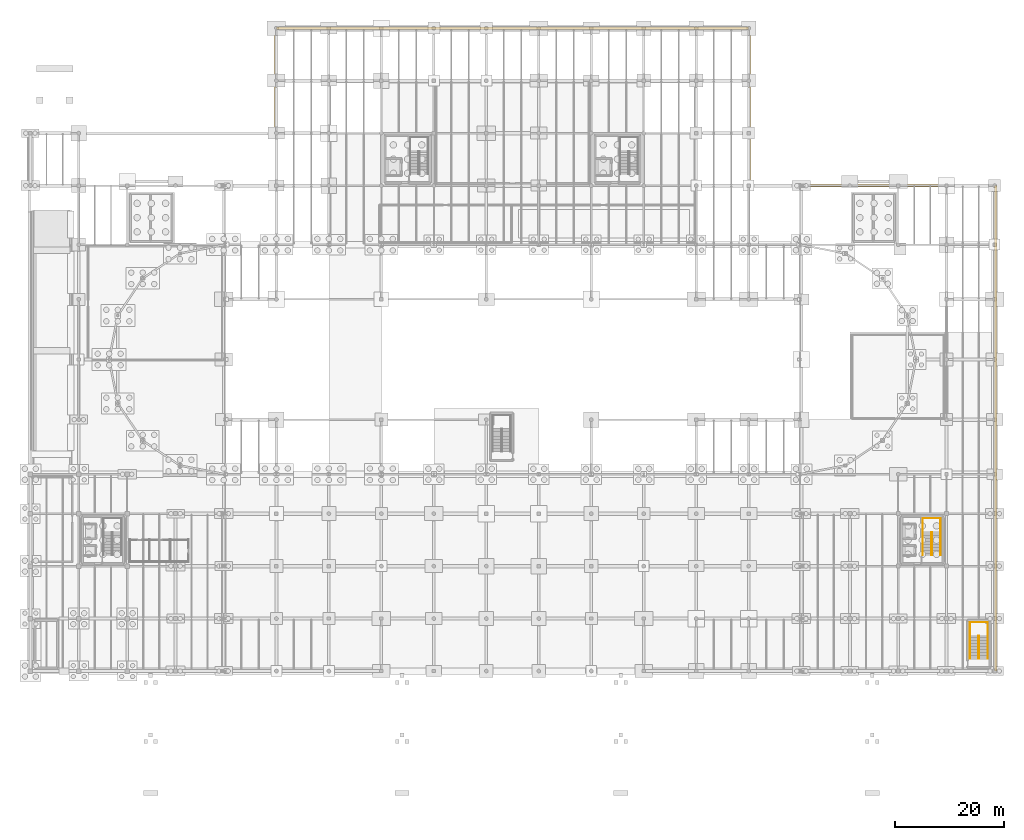
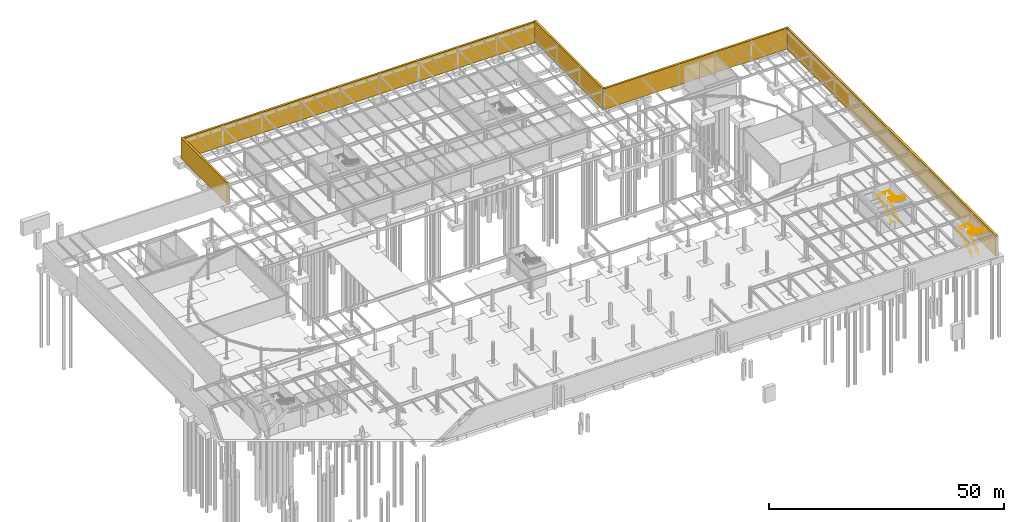
# One storey, part 49 of 50: 5 coverings, 4 railings.
"""IFC4 building model written with IfcOpenShell, lengths in metres."""

import ifcopenshell
import ifcopenshell.guid

model = None  # the IFC model being written
_history = None  # IfcOwnerHistory: only IFC2X3 demands one
_inside = {}  # id of a spatial element -> (the spatial element, [elements in it])
_under = {}  # id of a project, library or spatial element -> (it, [spatial elements below it])
_declared = {}  # id of a project -> (the project, [libraries it declares])
_typed = {}  # id of a type object -> (the type object, [elements of that type])
_made_of = {}  # id of a material, layer set ... -> (it, [elements and type objects made of it])


def new_model(schema):
    """Start an empty IFC model of exactly this schema.

    Asked for "IFC4X3", IfcOpenShell would pick the latest addendum, in which some entities
    have other attributes; the version numbers below select the first issue.
    IFC2X3 requires an IfcOwnerHistory on every rooted entity: one is made here for all.
    """
    global model, _history
    if schema == "IFC4X3":
        model = ifcopenshell.file(schema_version=(4, 3, 0, 0))
    else:
        model = ifcopenshell.file(schema=schema)
    _inside.clear()
    _under.clear()
    _declared.clear()
    _typed.clear()
    _made_of.clear()
    _history = None
    if model.schema == "IFC2X3":
        org = make("IfcOrganization", Name="unknown")
        user = make(
            "IfcPersonAndOrganization",
            ThePerson=make("IfcPerson", FamilyName="unknown"),
            TheOrganization=org,
        )
        app = make(
            "IfcApplication",
            ApplicationDeveloper=org,
            Version="unknown",
            ApplicationFullName="unknown",
            ApplicationIdentifier="unknown",
        )
        _history = make(
            "IfcOwnerHistory",
            OwningUser=user,
            OwningApplication=app,
            ChangeAction="ADDED",
            CreationDate=0,
        )
    return model


def make(cls, **values):
    """One entity of the class cls with the attributes given. An attribute that is None is left unset."""
    return model.create_entity(
        cls, **{name: value for name, value in values.items() if value is not None}
    )


def rooted(cls, **values):
    """An entity with a GlobalId (a new one), such as an element, a storey or a relation."""
    return make(cls, GlobalId=ifcopenshell.guid.new(), OwnerHistory=_history, **values)


def si_unit(unit_type, name, prefix=None):
    """IfcSIUnit, for example si_unit("LENGTHUNIT", "METRE", prefix="MILLI")."""
    return make("IfcSIUnit", UnitType=unit_type, Prefix=prefix, Name=name)


def assignment(units):
    """IfcUnitAssignment: the units of a project."""
    return None if units is None else make("IfcUnitAssignment", Units=units)


def point(xyz):
    """IfcCartesianPoint."""
    return None if xyz is None else make("IfcCartesianPoint", Coordinates=xyz)


def direction(xyz):
    """IfcDirection."""
    return None if xyz is None else make("IfcDirection", DirectionRatios=xyz)


def frame(location, z_axis=None, x_axis=None):
    """IfcAxis2Placement3D, a coordinate frame: its origin and axes. An axis left out is left unset."""
    return make(
        "IfcAxis2Placement3D",
        Location=point(location),
        Axis=direction(z_axis),
        RefDirection=direction(x_axis),
    )


def frame_2d(location, x_axis=None):
    """IfcAxis2Placement2D, a coordinate frame in the plane: its origin and x axis."""
    return make(
        "IfcAxis2Placement2D", Location=point(location), RefDirection=direction(x_axis)
    )


def origin():
    """The frame at (0, 0, 0) with its axes left unset."""
    return frame((0.0, 0.0, 0.0))


def origin_2d():
    """The frame at (0, 0) in the plane with its x axis left unset."""
    return frame_2d((0.0, 0.0))


def place(relative_to, where):
    """IfcLocalPlacement: puts the frame where relative to a parent placement (None: the world)."""
    return make(
        "IfcLocalPlacement", PlacementRelTo=relative_to, RelativePlacement=where
    )


def context(
    kind, dimensions, precision=None, world=None, true_north=None, identifier=None
):
    """IfcGeometricRepresentationContext, for example the 3D "Model" context."""
    return make(
        "IfcGeometricRepresentationContext",
        ContextIdentifier=identifier,
        ContextType=kind,
        CoordinateSpaceDimension=dimensions,
        Precision=precision,
        WorldCoordinateSystem=world,
        TrueNorth=true_north,
    )


def subcontext(parent, identifier, kind, view, scale=None):
    """IfcGeometricRepresentationSubContext, for example "Body" below "Model"."""
    return make(
        "IfcGeometricRepresentationSubContext",
        ContextIdentifier=identifier,
        ContextType=kind,
        ParentContext=parent,
        TargetScale=scale,
        TargetView=view,
    )


def project(units=None, contexts=None):
    """IfcProject with its units and contexts."""
    return rooted(
        "IfcProject",
        Name="project",
        RepresentationContexts=contexts,
        UnitsInContext=assignment(units),
    )


def spatial(cls, under=None, at=None, **own):
    """A site, building, storey or space (cls), placed at a placement, below another one or the project."""
    s = rooted(cls, ObjectPlacement=at, **own)
    if under is not None:
        _under.setdefault(under.id(), (under, []))[1].append(s)
    return s


def polyline(points):
    """IfcPolyline through the points."""
    return make("IfcPolyline", Points=[point(p) for p in points])


def profile(cls, at=None, kind="AREA", **sizes):
    """A parametric profile (cls). Its sizes go by their IFC names, for example OverallWidth=200.0."""
    return make(cls, ProfileType=kind, Position=at, **sizes)


def circle(**sizes):
    """IfcCircleProfileDef."""
    return profile("IfcCircleProfileDef", **sizes)


def outline(outer, holes=None, kind="AREA"):
    """IfcArbitraryClosedProfileDef: a profile drawn as a closed curve; with holes, ...WithVoids."""
    if holes is None:
        return make("IfcArbitraryClosedProfileDef", ProfileType=kind, OuterCurve=outer)
    return make(
        "IfcArbitraryProfileDefWithVoids",
        ProfileType=kind,
        OuterCurve=outer,
        InnerCurves=holes,
    )


def extrude(swept, where, along, depth):
    """IfcExtrudedAreaSolid: the profile swept, set in the frame where, extruded along a direction by depth."""
    return make(
        "IfcExtrudedAreaSolid",
        SweptArea=swept,
        Position=where,
        ExtrudedDirection=direction(along),
        Depth=depth,
    )


def shape(context_of_items, identifier, shape_type, items):
    """IfcShapeRepresentation: the items that make up one representation, for example the "Body"."""
    return make(
        "IfcShapeRepresentation",
        ContextOfItems=context_of_items,
        RepresentationIdentifier=identifier,
        RepresentationType=shape_type,
        Items=items,
    )


def material(Name=None, Category=None):
    """IfcMaterial."""
    return make("IfcMaterial", Name=Name, Category=Category)


def layer(
    of_material, thickness, ventilated=None, Name=None, Category=None, Priority=None
):
    """IfcMaterialLayer: one layer of a wall or slab, of a material (None: an air gap)."""
    return make(
        "IfcMaterialLayer",
        Material=of_material,
        LayerThickness=thickness,
        IsVentilated=ventilated,
        Name=Name,
        Category=Category,
        Priority=Priority,
    )


def layer_set(layers, Name=None):
    """IfcMaterialLayerSet."""
    return make("IfcMaterialLayerSet", MaterialLayers=layers, LayerSetName=Name)


def made_of(thing, what):
    """Note that an element or type object is made of a material, layer set ...; save() writes the relation."""
    if what is not None:
        _made_of.setdefault(what.id(), (what, []))[1].append(thing)
    return thing


def type_object(cls, material=None, **own):
    """A type object (cls), such as IfcWallType, which elements share."""
    return made_of(rooted(cls, **own), material)


def element(
    cls,
    number,
    at=None,
    inside=None,
    cuts=None,
    type_object=None,
    material=None,
    context=None,
    identifier="Body",
    shape_type=None,
    held_by="IfcProductDefinitionShape",
    body=None,
    shapes=None,
    **own,
):
    """One element of the class cls, such as IfcWall. Its Tag is "e" and its number.

    at: its placement. inside: the storey or other place that contains it. cuts: it is an
    opening in that element (IfcRelVoidsElement). A single representation is given by context,
    identifier, shape_type and body (its items); several are given by shapes. held_by: the class
    of the entity that holds the representations. save() writes the other relations.
    """
    e = rooted(cls, Tag="e%d" % number, ObjectPlacement=at, **own)
    if body is not None:
        shapes = [shape(context, identifier, shape_type, body)]
    if shapes is not None:
        e.Representation = make(held_by, Representations=shapes)
    if inside is not None:
        _inside.setdefault(inside.id(), (inside, []))[1].append(e)
    if cuts is not None:
        rooted(
            "IfcRelVoidsElement", RelatingBuildingElement=cuts, RelatedOpeningElement=e
        )
    if type_object is not None:
        _typed.setdefault(type_object.id(), (type_object, []))[1].append(e)
    return made_of(e, material)


def aggregate(whole, parts):
    """IfcRelAggregates: a whole, such as a stair, and the parts it consists of."""
    return rooted("IfcRelAggregates", RelatingObject=whole, RelatedObjects=parts)


def save(model, path):
    """Write the relations noted so far, then the file.

    IfcRelAggregates (storeys below a building ...), IfcRelContainedInSpatialStructure (elements
    in a storey), IfcRelDefinesByType, IfcRelAssociatesMaterial and IfcRelDeclares: one each for
    every whole, place, type object, material and project.
    """
    for whole, parts in _under.values():
        aggregate(whole, parts)
    for where, things in _inside.values():
        rooted(
            "IfcRelContainedInSpatialStructure",
            RelatedElements=things,
            RelatingStructure=where,
        )
    for kind, things in _typed.values():
        rooted("IfcRelDefinesByType", RelatedObjects=things, RelatingType=kind)
    for what, things in _made_of.values():
        rooted("IfcRelAssociatesMaterial", RelatedObjects=things, RelatingMaterial=what)
    for by, libraries in _declared.values():
        rooted("IfcRelDeclares", RelatingContext=by, RelatedDefinitions=libraries)
    model.write(path)


model = new_model("IFC4")

# Units and contexts
model_context = context("Model", 3, precision=1e-05, world=origin(), true_north=direction((0.0, 1.0)))
body_context = subcontext(model_context, "Body", "Model", "MODEL_VIEW")
ifc_project = project(units=[si_unit("LENGTHUNIT", "METRE"), si_unit("AREAUNIT", "SQUARE_METRE"), si_unit("VOLUMEUNIT", "CUBIC_METRE"), si_unit("PLANEANGLEUNIT", "RADIAN"), si_unit("MASSUNIT", "GRAM", prefix="KILO")], contexts=[model_context])

# Site, building, storey
site_placement = place(None, origin())
site = spatial("IfcSite", under=ifc_project, at=site_placement, CompositionType="ELEMENT")
building_placement = place(site_placement, origin())
building = spatial("IfcBuilding", under=site, at=building_placement, Name="Yeouljin Market Hall", CompositionType="ELEMENT")
storey_placement = place(building_placement, frame((0.0, 0.0, -5.39990234375)))
storey = spatial("IfcBuildingStorey", under=building, at=storey_placement, Name="B1", CompositionType="ELEMENT", Elevation=-5.39990234375)

# Coverings
ifc_material_1 = material(Name="Pocheon Granite Stone", Category="masonry")
ifc_layer = layer(ifc_material_1, 0.360107421875)
ifc_layer_set = layer_set([ifc_layer], Name="Pocheon Granite Stone")
covering_type = type_object("IfcCoveringType", Name="Covering_Granite_FloodPlinth", PredefinedType="CLADDING", material=ifc_layer_set)
covering_1_placement = place(storey_placement, origin())
element("IfcCovering", 1, at=covering_1_placement, inside=storey, type_object=covering_type, Name="Pocheon granite coastal flood plinth enclosure PLSK-NORTH-W", PredefinedType="CLADDING", context=body_context, shape_type="SweptSolid", body=[
    extrude(outline(polyline([(44.64990234375, 98.39990234375), (45.14990234375, 98.39990234375), (45.14990234375, 117.85009765625), (44.64990234375, 117.85009765625), (44.64990234375, 98.39990234375)])), origin(), (0.0, 0.0, 1.0), 5.39990234375),
])
covering_2_placement = place(storey_placement, origin())
element("IfcCovering", 2, at=covering_2_placement, inside=storey, type_object=covering_type, Name="Pocheon granite coastal flood plinth enclosure PLSK-NORTH-MID", PredefinedType="CLADDING", context=body_context, shape_type="SweptSolid", body=[
    extrude(outline(polyline([(45.0, 117.35009765625), (131.39990234375, 117.35009765625), (131.39990234375, 117.85009765625), (45.0, 117.85009765625), (45.0, 117.35009765625)])), origin(), (0.0, 0.0, 1.0), 5.39990234375),
])
covering_3_placement = place(storey_placement, origin())
element("IfcCovering", 3, at=covering_3_placement, inside=storey, type_object=covering_type, Name="Pocheon granite coastal flood plinth enclosure PLSK-NORTH-E", PredefinedType="CLADDING", context=body_context, shape_type="SweptSolid", body=[
    extrude(outline(polyline([(131.25, 88.800048828125), (131.75, 88.800048828125), (131.75, 117.85009765625), (131.25, 117.85009765625), (131.25, 88.800048828125)])), origin(), (0.0, 0.0, 1.0), 5.39990234375),
])
covering_4_placement = place(storey_placement, origin())
element("IfcCovering", 4, at=covering_4_placement, inside=storey, type_object=covering_type, Name="Pocheon granite coastal flood plinth enclosure PLSK-EAST-TOP", PredefinedType="CLADDING", context=body_context, shape_type="SweptSolid", body=[
    extrude(outline(polyline([(131.39990234375, 88.550048828125), (176.85009765625, 88.550048828125), (176.85009765625, 89.050048828125), (131.39990234375, 89.050048828125), (131.39990234375, 88.550048828125)])), origin(), (0.0, 0.0, 1.0), 5.39990234375),
])
covering_5_placement = place(storey_placement, origin())
element("IfcCovering", 5, at=covering_5_placement, inside=storey, type_object=covering_type, Name="Pocheon granite coastal flood plinth enclosure PLSK-EAST", PredefinedType="CLADDING", context=body_context, shape_type="SweptSolid", body=[
    extrude(outline(polyline([(176.35009765625, 0.0), (176.85009765625, 0.0), (176.85009765625, 88.85009765625), (176.35009765625, 88.85009765625), (176.35009765625, 0.0)])), origin(), (0.0, 0.0, 1.0), 5.39990234375),
])

# Railings
ifc_material_2 = material(Name="Painted Steel Stair Guardrail", Category="steel")
railing_type_1 = type_object("IfcRailingType", Name="Railing_StairGuard_1200", PredefinedType="GUARDRAIL", material=ifc_material_2)
railing_1_placement = place(storey_placement, frame((164.7900390625, 21.199951171875, 0.0)))
element("IfcRailing", 6, at=railing_1_placement, inside=storey, type_object=railing_type_1, Name="Stair ST-C3-B1 inner well guardrail", PredefinedType="GUARDRAIL", context=body_context, shape_type="SweptSolid", body=[
    extrude(circle(Radius=0.02392578125, at=origin_2d()), frame((0.0, 0.0, 1.17578125), z_axis=(0.0, 0.838825804899, 0.544399916454), x_axis=(-1.0, 0.0, 0.0)), (0.0, 0.0, 1.0), 4.95947265625),
    extrude(circle(Radius=0.02392578125, at=origin_2d()), frame((0.0, 4.16015625, 3.8759765625), z_axis=(1.0, 0.0, 0.0), x_axis=(0.0, 1.0, 0.0)), (0.0, 0.0, 1.0), 0.159912109375),
    extrude(circle(Radius=0.02392578125, at=origin_2d()), frame((0.159912109375, 4.16015625, 3.8759765625), z_axis=(0.0, -0.838825804899, 0.544399916454), x_axis=(1.0, 0.0, 0.0)), (0.0, 0.0, 1.0), 4.95947265625),
    extrude(circle(Radius=0.02099609375, at=origin_2d()), origin(), (0.0, 0.0, 1.0), 1.15185546875),
    extrude(circle(Radius=0.02099609375, at=origin_2d()), frame((0.0, 0.83203125, 0.5400390625)), (0.0, 0.0, 1.0), 1.15185546875),
    extrude(circle(Radius=0.02099609375, at=origin_2d()), frame((0.0, 1.6640625, 1.080078125)), (0.0, 0.0, 1.0), 1.15185546875),
    extrude(circle(Radius=0.02099609375, at=origin_2d()), frame((0.0, 2.49609375, 1.619873046875)), (0.0, 0.0, 1.0), 1.15185546875),
    extrude(circle(Radius=0.02099609375, at=origin_2d()), frame((0.0, 3.328125, 2.159912109375)), (0.0, 0.0, 1.0), 1.15185546875),
    extrude(circle(Radius=0.02099609375, at=origin_2d()), frame((0.0, 4.16015625, 2.699951171875)), (0.0, 0.0, 1.0), 1.15185546875),
    extrude(circle(Radius=0.02099609375, at=origin_2d()), frame((0.159912109375, 4.16015625, 2.699951171875)), (0.0, 0.0, 1.0), 1.15185546875),
    extrude(circle(Radius=0.02099609375, at=origin_2d()), frame((0.159912109375, 3.328125, 3.239990234375)), (0.0, 0.0, 1.0), 1.15185546875),
    extrude(circle(Radius=0.02099609375, at=origin_2d()), frame((0.159912109375, 2.49609375, 3.780029296875)), (0.0, 0.0, 1.0), 1.15185546875),
    extrude(circle(Radius=0.02099609375, at=origin_2d()), frame((0.159912109375, 1.6640625, 4.31982421875)), (0.0, 0.0, 1.0), 1.15185546875),
    extrude(circle(Radius=0.02099609375, at=origin_2d()), frame((0.159912109375, 0.83203125, 4.85986328125)), (0.0, 0.0, 1.0), 1.15185546875),
    extrude(circle(Radius=0.02099609375, at=origin_2d()), frame((0.159912109375, 0.0, 5.39990234375)), (0.0, 0.0, 1.0), 1.15185546875),
])
railing_2_placement = place(storey_placement, frame((173.419921875, 2.25, 0.0)))
element("IfcRailing", 7, at=railing_2_placement, inside=storey, type_object=railing_type_1, Name="Stair ST-S8-B1 inner well guardrail", PredefinedType="GUARDRAIL", context=body_context, shape_type="SweptSolid", body=[
    extrude(circle(Radius=0.02392578125, at=origin_2d()), frame((0.0, 0.0, 1.17578125), z_axis=(0.0, 0.838811214567, 0.544422396965), x_axis=(-1.0, 0.0, 0.0)), (0.0, 0.0, 1.0), 4.959228515625),
    extrude(circle(Radius=0.02392578125, at=origin_2d()), frame((0.0, 4.159912109375, 3.8759765625), z_axis=(1.0, 0.0, 0.0), x_axis=(0.0, 1.0, 0.0)), (0.0, 0.0, 1.0), 0.16015625),
    extrude(circle(Radius=0.02392578125, at=origin_2d()), frame((0.16015625, 4.159912109375, 3.8759765625), z_axis=(0.0, -0.838811214567, 0.544422396965), x_axis=(1.0, 0.0, 0.0)), (0.0, 0.0, 1.0), 4.959228515625),
    extrude(circle(Radius=0.02099609375, at=origin_2d()), origin(), (0.0, 0.0, 1.0), 1.15185546875),
    extrude(circle(Radius=0.02099609375, at=origin_2d()), frame((0.0, 0.83203125, 0.5400390625)), (0.0, 0.0, 1.0), 1.15185546875),
    extrude(circle(Radius=0.02099609375, at=origin_2d()), frame((0.0, 1.6640625, 1.080078125)), (0.0, 0.0, 1.0), 1.15185546875),
    extrude(circle(Radius=0.02099609375, at=origin_2d()), frame((0.0, 2.495849609375, 1.619873046875)), (0.0, 0.0, 1.0), 1.15185546875),
    extrude(circle(Radius=0.02099609375, at=origin_2d()), frame((0.0, 3.327880859375, 2.159912109375)), (0.0, 0.0, 1.0), 1.15185546875),
    extrude(circle(Radius=0.02099609375, at=origin_2d()), frame((0.0, 4.159912109375, 2.699951171875)), (0.0, 0.0, 1.0), 1.15185546875),
    extrude(circle(Radius=0.02099609375, at=origin_2d()), frame((0.16015625, 4.159912109375, 2.699951171875)), (0.0, 0.0, 1.0), 1.15185546875),
    extrude(circle(Radius=0.02099609375, at=origin_2d()), frame((0.16015625, 3.327880859375, 3.239990234375)), (0.0, 0.0, 1.0), 1.15185546875),
    extrude(circle(Radius=0.02099609375, at=origin_2d()), frame((0.16015625, 2.495849609375, 3.780029296875)), (0.0, 0.0, 1.0), 1.15185546875),
    extrude(circle(Radius=0.02099609375, at=origin_2d()), frame((0.16015625, 1.6640625, 4.31982421875)), (0.0, 0.0, 1.0), 1.15185546875),
    extrude(circle(Radius=0.02099609375, at=origin_2d()), frame((0.16015625, 0.83203125, 4.85986328125)), (0.0, 0.0, 1.0), 1.15185546875),
    extrude(circle(Radius=0.02099609375, at=origin_2d()), frame((0.16015625, 0.0, 5.39990234375)), (0.0, 0.0, 1.0), 1.15185546875),
])
ifc_material_3 = material(Name="Brushed Stainless Steel", Category="steel")
railing_type_2 = type_object("IfcRailingType", Name="Railing_StairHandrail_900", PredefinedType="HANDRAIL", material=ifc_material_3)
railing_3_placement = place(storey_placement, frame((163.25, 21.199951171875, 0.0)))
element("IfcRailing", 8, at=railing_3_placement, inside=storey, type_object=railing_type_2, Name="Stair ST-C3-B1 wall handrail", PredefinedType="HANDRAIL", context=body_context, shape_type="SweptSolid", body=[
    extrude(circle(Radius=0.02392578125, at=origin_2d()), frame((0.0, 0.0, 0.8759765625), z_axis=(0.0, 0.838825804899, 0.544399916454), x_axis=(-1.0, 0.0, 0.0)), (0.0, 0.0, 1.0), 4.95947265625),
    extrude(circle(Radius=0.02392578125, at=origin_2d()), frame((0.0, 4.16015625, 3.57568359375), z_axis=(0.0, 1.0, 0.0), x_axis=(-1.0, 0.0, 0.0)), (0.0, 0.0, 1.0), 2.60986328125),
    extrude(circle(Radius=0.02392578125, at=origin_2d()), frame((0.0, 6.77001953125, 3.57568359375), z_axis=(1.0, 0.0, 0.0), x_axis=(0.0, 1.0, 0.0)), (0.0, 0.0, 1.0), 3.239990234375),
    extrude(circle(Radius=0.02392578125, at=origin_2d()), frame((3.239990234375, 6.77001953125, 3.57568359375), z_axis=(0.0, -1.0, 0.0), x_axis=(1.0, 0.0, 0.0)), (0.0, 0.0, 1.0), 2.60986328125),
    extrude(circle(Radius=0.02392578125, at=origin_2d()), frame((3.239990234375, 4.16015625, 3.57568359375), z_axis=(0.0, -0.838825804899, 0.544399916454), x_axis=(1.0, 0.0, 0.0)), (0.0, 0.0, 1.0), 4.95947265625),
    extrude(circle(Radius=0.02099609375, at=origin_2d()), origin(), (0.0, 0.0, 1.0), 0.851806640625),
    extrude(circle(Radius=0.02099609375, at=origin_2d()), frame((0.0, 0.83203125, 0.5400390625)), (0.0, 0.0, 1.0), 0.851806640625),
    extrude(circle(Radius=0.02099609375, at=origin_2d()), frame((0.0, 1.6640625, 1.080078125)), (0.0, 0.0, 1.0), 0.851806640625),
    extrude(circle(Radius=0.02099609375, at=origin_2d()), frame((0.0, 2.49609375, 1.619873046875)), (0.0, 0.0, 1.0), 0.851806640625),
    extrude(circle(Radius=0.02099609375, at=origin_2d()), frame((0.0, 3.328125, 2.159912109375)), (0.0, 0.0, 1.0), 0.851806640625),
    extrude(circle(Radius=0.02099609375, at=origin_2d()), frame((0.0, 4.16015625, 2.699951171875)), (0.0, 0.0, 1.0), 0.851806640625),
    extrude(circle(Radius=0.02099609375, at=origin_2d()), frame((0.0, 5.030029296875, 2.699951171875)), (0.0, 0.0, 1.0), 0.851806640625),
    extrude(circle(Radius=0.02099609375, at=origin_2d()), frame((0.0, 5.900146484375, 2.699951171875)), (0.0, 0.0, 1.0), 0.851806640625),
    extrude(circle(Radius=0.02099609375, at=origin_2d()), frame((0.0, 6.77001953125, 2.699951171875)), (0.0, 0.0, 1.0), 0.851806640625),
    extrude(circle(Radius=0.02099609375, at=origin_2d()), frame((1.080078125, 6.77001953125, 2.699951171875)), (0.0, 0.0, 1.0), 0.851806640625),
    extrude(circle(Radius=0.02099609375, at=origin_2d()), frame((2.159912109375, 6.77001953125, 2.699951171875)), (0.0, 0.0, 1.0), 0.851806640625),
    extrude(circle(Radius=0.02099609375, at=origin_2d()), frame((3.239990234375, 6.77001953125, 2.699951171875)), (0.0, 0.0, 1.0), 0.851806640625),
    extrude(circle(Radius=0.02099609375, at=origin_2d()), frame((3.239990234375, 5.900146484375, 2.699951171875)), (0.0, 0.0, 1.0), 0.851806640625),
    extrude(circle(Radius=0.02099609375, at=origin_2d()), frame((3.239990234375, 5.030029296875, 2.699951171875)), (0.0, 0.0, 1.0), 0.851806640625),
    extrude(circle(Radius=0.02099609375, at=origin_2d()), frame((3.239990234375, 4.16015625, 2.699951171875)), (0.0, 0.0, 1.0), 0.851806640625),
    extrude(circle(Radius=0.02099609375, at=origin_2d()), frame((3.239990234375, 3.328125, 3.239990234375)), (0.0, 0.0, 1.0), 0.851806640625),
    extrude(circle(Radius=0.02099609375, at=origin_2d()), frame((3.239990234375, 2.49609375, 3.780029296875)), (0.0, 0.0, 1.0), 0.851806640625),
    extrude(circle(Radius=0.02099609375, at=origin_2d()), frame((3.239990234375, 1.6640625, 4.31982421875)), (0.0, 0.0, 1.0), 0.851806640625),
    extrude(circle(Radius=0.02099609375, at=origin_2d()), frame((3.239990234375, 0.83203125, 4.85986328125)), (0.0, 0.0, 1.0), 0.851806640625),
    extrude(circle(Radius=0.02099609375, at=origin_2d()), frame((3.239990234375, 0.0, 5.39990234375)), (0.0, 0.0, 1.0), 0.851806640625),
])
railing_4_placement = place(storey_placement, frame((171.8798828125, 2.25, 0.0)))
element("IfcRailing", 9, at=railing_4_placement, inside=storey, type_object=railing_type_2, Name="Stair ST-S8-B1 wall handrail", PredefinedType="HANDRAIL", context=body_context, shape_type="SweptSolid", body=[
    extrude(circle(Radius=0.02392578125, at=origin_2d()), frame((0.0, 0.0, 0.8759765625), z_axis=(0.0, 0.838811214567, 0.544422396965), x_axis=(-1.0, 0.0, 0.0)), (0.0, 0.0, 1.0), 4.959228515625),
    extrude(circle(Radius=0.02392578125, at=origin_2d()), frame((0.0, 4.159912109375, 3.57568359375), z_axis=(0.0, 1.0, 0.0), x_axis=(-1.0, 0.0, 0.0)), (0.0, 0.0, 1.0), 2.510009765625),
    extrude(circle(Radius=0.02392578125, at=origin_2d()), frame((0.0, 6.669921875, 3.57568359375), z_axis=(1.0, 0.0, 0.0), x_axis=(0.0, 1.0, 0.0)), (0.0, 0.0, 1.0), 3.240234375),
    extrude(circle(Radius=0.02392578125, at=origin_2d()), frame((3.240234375, 6.669921875, 3.57568359375), z_axis=(0.0, -1.0, 0.0), x_axis=(1.0, 0.0, 0.0)), (0.0, 0.0, 1.0), 2.510009765625),
    extrude(circle(Radius=0.02392578125, at=origin_2d()), frame((3.240234375, 4.159912109375, 3.57568359375), z_axis=(0.0, -0.838811214567, 0.544422396965), x_axis=(1.0, 0.0, 0.0)), (0.0, 0.0, 1.0), 4.959228515625),
    extrude(circle(Radius=0.02099609375, at=origin_2d()), origin(), (0.0, 0.0, 1.0), 0.851806640625),
    extrude(circle(Radius=0.02099609375, at=origin_2d()), frame((0.0, 0.83203125, 0.5400390625)), (0.0, 0.0, 1.0), 0.851806640625),
    extrude(circle(Radius=0.02099609375, at=origin_2d()), frame((0.0, 1.6640625, 1.080078125)), (0.0, 0.0, 1.0), 0.851806640625),
    extrude(circle(Radius=0.02099609375, at=origin_2d()), frame((0.0, 2.495849609375, 1.619873046875)), (0.0, 0.0, 1.0), 0.851806640625),
    extrude(circle(Radius=0.02099609375, at=origin_2d()), frame((0.0, 3.327880859375, 2.159912109375)), (0.0, 0.0, 1.0), 0.851806640625),
    extrude(circle(Radius=0.02099609375, at=origin_2d()), frame((0.0, 4.159912109375, 2.699951171875)), (0.0, 0.0, 1.0), 0.851806640625),
    extrude(circle(Radius=0.02099609375, at=origin_2d()), frame((0.0, 4.99658203125, 2.699951171875)), (0.0, 0.0, 1.0), 0.851806640625),
    extrude(circle(Radius=0.02099609375, at=origin_2d()), frame((0.0, 5.833251953125, 2.699951171875)), (0.0, 0.0, 1.0), 0.851806640625),
    extrude(circle(Radius=0.02099609375, at=origin_2d()), frame((0.0, 6.669921875, 2.699951171875)), (0.0, 0.0, 1.0), 0.851806640625),
    extrude(circle(Radius=0.02099609375, at=origin_2d()), frame((1.080078125, 6.669921875, 2.699951171875)), (0.0, 0.0, 1.0), 0.851806640625),
    extrude(circle(Radius=0.02099609375, at=origin_2d()), frame((2.16015625, 6.669921875, 2.699951171875)), (0.0, 0.0, 1.0), 0.851806640625),
    extrude(circle(Radius=0.02099609375, at=origin_2d()), frame((3.240234375, 6.669921875, 2.699951171875)), (0.0, 0.0, 1.0), 0.851806640625),
    extrude(circle(Radius=0.02099609375, at=origin_2d()), frame((3.240234375, 5.833251953125, 2.699951171875)), (0.0, 0.0, 1.0), 0.851806640625),
    extrude(circle(Radius=0.02099609375, at=origin_2d()), frame((3.240234375, 4.99658203125, 2.699951171875)), (0.0, 0.0, 1.0), 0.851806640625),
    extrude(circle(Radius=0.02099609375, at=origin_2d()), frame((3.240234375, 4.159912109375, 2.699951171875)), (0.0, 0.0, 1.0), 0.851806640625),
    extrude(circle(Radius=0.02099609375, at=origin_2d()), frame((3.240234375, 3.327880859375, 3.239990234375)), (0.0, 0.0, 1.0), 0.851806640625),
    extrude(circle(Radius=0.02099609375, at=origin_2d()), frame((3.240234375, 2.495849609375, 3.780029296875)), (0.0, 0.0, 1.0), 0.851806640625),
    extrude(circle(Radius=0.02099609375, at=origin_2d()), frame((3.240234375, 1.6640625, 4.31982421875)), (0.0, 0.0, 1.0), 0.851806640625),
    extrude(circle(Radius=0.02099609375, at=origin_2d()), frame((3.240234375, 0.83203125, 4.85986328125)), (0.0, 0.0, 1.0), 0.851806640625),
    extrude(circle(Radius=0.02099609375, at=origin_2d()), frame((3.240234375, 0.0, 5.39990234375)), (0.0, 0.0, 1.0), 0.851806640625),
])

save(model, "model.ifc")
